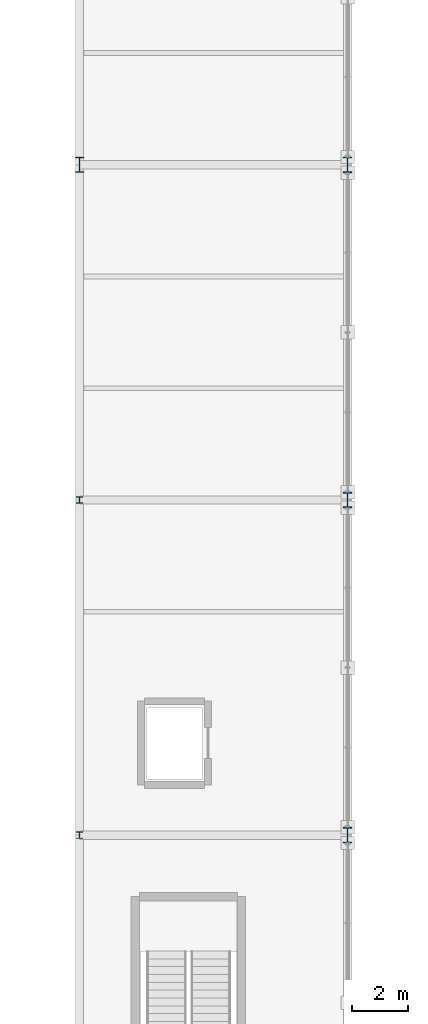
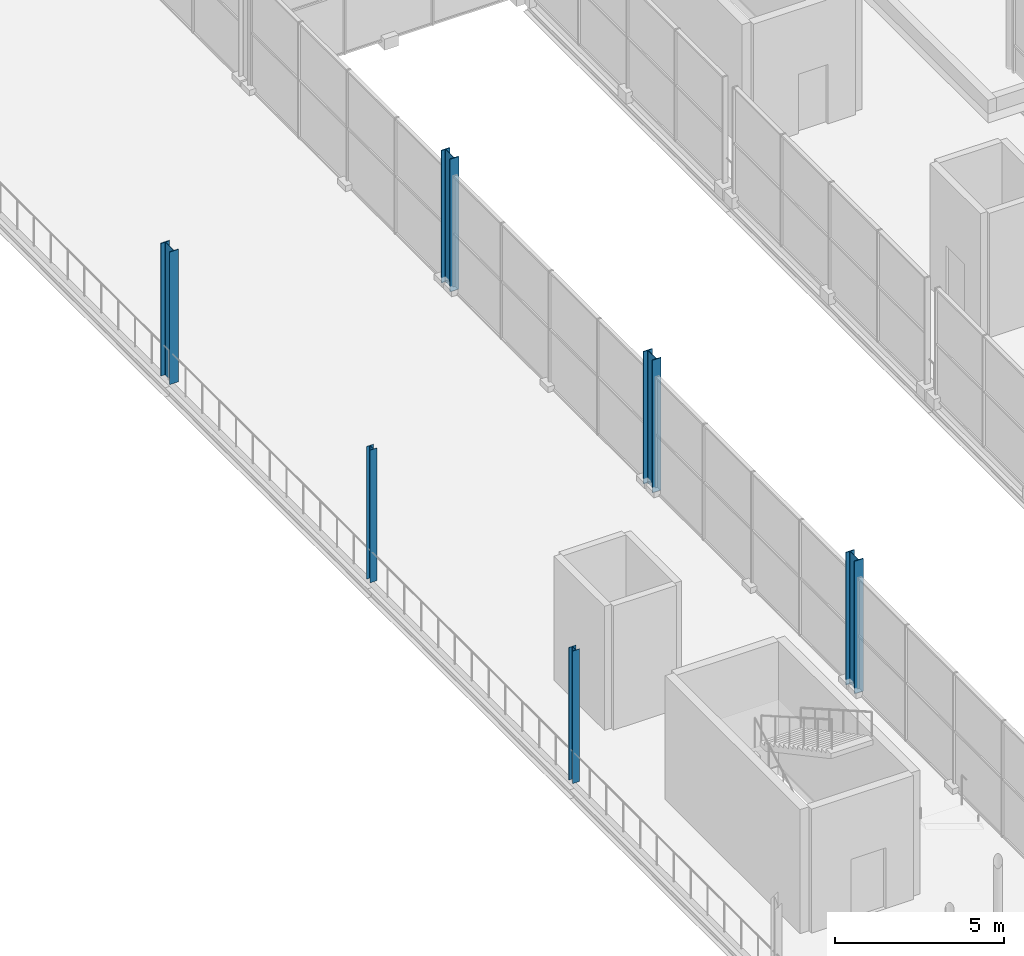
# One storey, part 11 of 159: 6 columns.
"""IFC4 building model written with IfcOpenShell, lengths in metres."""

from ifc_helpers import new_model, si_unit, direction, frame, origin, origin_2d, place, context, subcontext, project, spatial, i_section, extrude, material, material_profile, profile_set, type_object, element, save


model = new_model("IFC4")

# Units and contexts
model_context = context("Model", 3, precision=1e-05, world=origin(), true_north=direction((0.0, 1.0)))
body_context = subcontext(model_context, "Body", "Model", "MODEL_VIEW")
ifc_project = project(units=[si_unit("LENGTHUNIT", "METRE"), si_unit("AREAUNIT", "SQUARE_METRE"), si_unit("VOLUMEUNIT", "CUBIC_METRE"), si_unit("PLANEANGLEUNIT", "RADIAN"), si_unit("MASSUNIT", "GRAM", prefix="KILO")], contexts=[model_context])

# Site, building, storey
site_placement = place(None, origin())
site = spatial("IfcSite", under=ifc_project, at=site_placement, CompositionType="ELEMENT")
building_placement = place(site_placement, origin())
building = spatial("IfcBuilding", under=site, at=building_placement, Name="Merenkruunu Market Hall", CompositionType="ELEMENT")
storey_placement = place(building_placement, frame((0.0, 0.0, 5.39990234375)))
storey = spatial("IfcBuildingStorey", under=building, at=storey_placement, Name="L01", CompositionType="ELEMENT", Elevation=5.39990234375)

# Columns
ifc_material_1 = material(Name="Steel S355ML", Category="steel")
ifc_material_profile_1 = material_profile(ifc_material_1, i_section(OverallWidth=0.300048828125, OverallDepth=0.550048828125, WebThickness=0.014892578125, FlangeThickness=0.029052734375, FilletRadius=0.027099609375, at=origin_2d()), Name="HEB 550")
ifc_profile_set_1 = profile_set([ifc_material_profile_1], Name="Steel S355ML")
column_type_1 = type_object("IfcColumnType", Name="Structural Column C02", PredefinedType="COLUMN", material=ifc_profile_set_1)
for number, where, z_axis, x_axis, name in (
    (1, (57.60009765625, 63.60009765625, 0.0), (0.0, 0.0, 1.0), (1.0, 0.0, 0.0), "COL-L01-G-08"),
    (2, (57.60009765625, 75.60009765625, 0.0), (0.0, 0.0, 1.0), (1.0, 0.0, 0.0), "COL-L01-G-09"),
    (3, (57.60009765625, 87.60009765625, 0.0), (0.0, 0.0, 1.0), (1.0, 0.0, 0.0), "COL-L01-G-10"),
):
    element("IfcColumn", number, at=place(storey_placement, frame(where, z_axis=z_axis, x_axis=x_axis)), inside=storey, type_object=column_type_1, Name=name, PredefinedType="COLUMN", context=body_context, shape_type="SweptSolid", body=[
        extrude(i_section(OverallWidth=0.300048828125, OverallDepth=0.550048828125, WebThickness=0.014892578125, FlangeThickness=0.029052734375, FilletRadius=0.027099609375, at=origin_2d()), origin(), (0.0, 0.0, 1.0), 4.800048828125),
    ])
ifc_material_2 = material(Name="Steel S355J2", Category="steel")
ifc_material_profile_2 = material_profile(ifc_material_2, i_section(OverallWidth=0.300048828125, OverallDepth=0.5400390625, WebThickness=0.012451171875, FlangeThickness=0.02392578125, FilletRadius=0.027099609375, at=origin_2d()), Name="HEA 550")
ifc_profile_set_2 = profile_set([ifc_material_profile_2], Name="Steel S355J2")
column_type_2 = type_object("IfcColumnType", Name="Structural Column C06", PredefinedType="COLUMN", material=ifc_profile_set_2)
column_placement = place(storey_placement, frame((48.0, 87.60009765625, 0.0), z_axis=(0.0, 0.0, 1.0), x_axis=(1.0, 0.0, 0.0)))
element("IfcColumn", 4, at=column_placement, inside=storey, type_object=column_type_2, Name="COL-L01-F-10", PredefinedType="COLUMN", context=body_context, shape_type="SweptSolid", body=[
    extrude(i_section(OverallWidth=0.300048828125, OverallDepth=0.5400390625, WebThickness=0.012451171875, FlangeThickness=0.02392578125, FilletRadius=0.027099609375, at=origin_2d()), origin(), (0.0, 0.0, 1.0), 4.800048828125),
])
ifc_material_profile_3 = material_profile(ifc_material_2, i_section(OverallWidth=0.239990234375, OverallDepth=0.22998046875, WebThickness=0.007568359375, FlangeThickness=0.011962890625, FilletRadius=0.02099609375, at=origin_2d()), Name="HEA 240")
ifc_profile_set_3 = profile_set([ifc_material_profile_3], Name="Steel S355J2")
column_type_3 = type_object("IfcColumnType", Name="Structural Column C10", PredefinedType="COLUMN", material=ifc_profile_set_3)
for number, where, z_axis, x_axis, name in (
    (5, (48.0, 63.60009765625, 0.0), (0.0, 0.0, 1.0), (1.0, 0.0, 0.0), "COL-L01-F-08"),
    (6, (48.0, 75.60009765625, 0.0), (0.0, 0.0, 1.0), (1.0, 0.0, 0.0), "COL-L01-F-09"),
):
    element("IfcColumn", number, at=place(storey_placement, frame(where, z_axis=z_axis, x_axis=x_axis)), inside=storey, type_object=column_type_3, Name=name, PredefinedType="COLUMN", context=body_context, shape_type="SweptSolid", body=[
        extrude(i_section(OverallWidth=0.239990234375, OverallDepth=0.22998046875, WebThickness=0.007568359375, FlangeThickness=0.011962890625, FilletRadius=0.02099609375, at=origin_2d()), origin(), (0.0, 0.0, 1.0), 4.800048828125),
    ])

save(model, "model.ifc")
